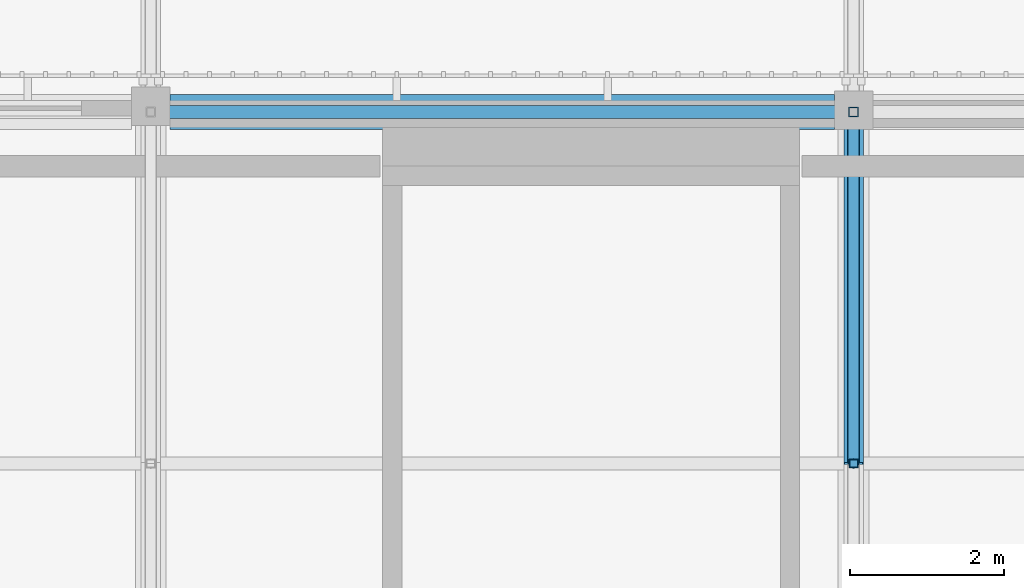
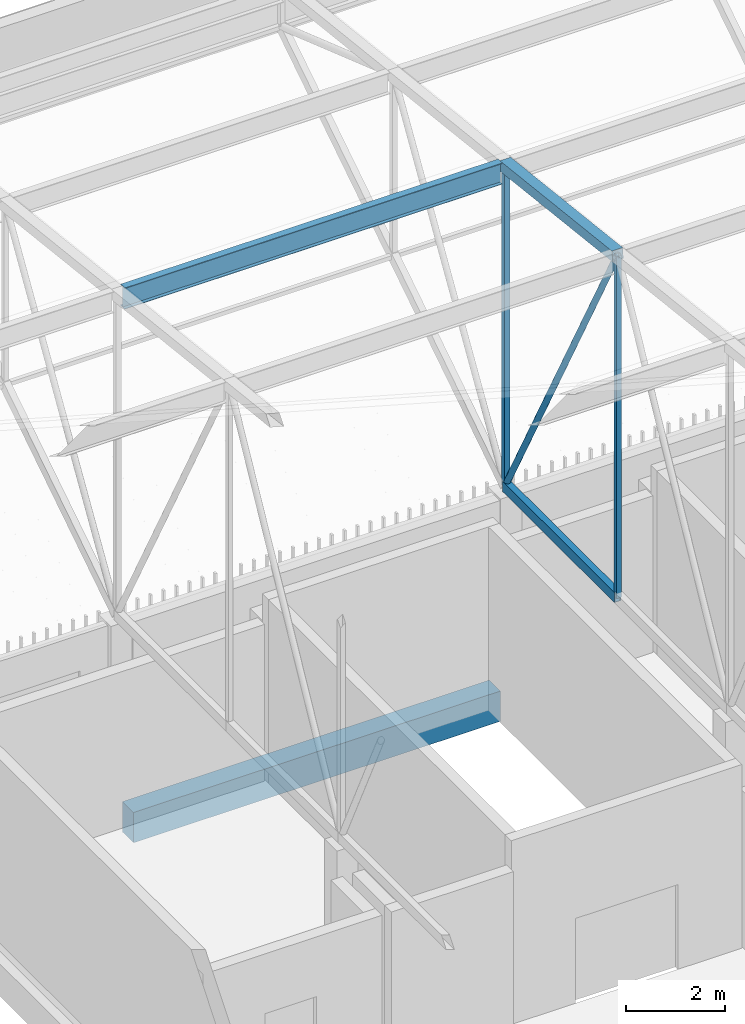
# One storey, part 324 of 500: 6 members, 1 beam.
"""IFC4 building model written with IfcOpenShell, lengths in metres."""

from ifc_helpers import new_model, si_unit, direction, frame, origin, origin_2d, place, context, subcontext, project, spatial, rectangle, hollow_rectangle, hollow_circle, i_section, extrude, material, material_profile, profile_set, type_object, element, save


model = new_model("IFC4")

# Units and contexts
model_context = context("Model", 3, precision=1e-05, world=origin(), true_north=direction((0.0, 1.0)))
body_context = subcontext(model_context, "Body", "Model", "MODEL_VIEW")
ifc_project = project(units=[si_unit("LENGTHUNIT", "METRE"), si_unit("AREAUNIT", "SQUARE_METRE"), si_unit("VOLUMEUNIT", "CUBIC_METRE"), si_unit("PLANEANGLEUNIT", "RADIAN"), si_unit("MASSUNIT", "GRAM", prefix="KILO")], contexts=[model_context])

# Site, building, storey
site_placement = place(None, origin())
site = spatial("IfcSite", under=ifc_project, at=site_placement, CompositionType="ELEMENT")
building_placement = place(site_placement, origin())
building = spatial("IfcBuilding", under=site, at=building_placement, Name="Shirokan Park Arena", CompositionType="ELEMENT")
storey_placement = place(building_placement, frame((0.0, 0.0, 29.1201171875)))
storey = spatial("IfcBuildingStorey", under=building, at=storey_placement, Name="L06", CompositionType="ELEMENT", Elevation=29.1201171875)

# Members
ifc_material_1 = material(Name="Steel ASTM A500 Grade C", Category="steel")
ifc_material_profile_1 = material_profile(ifc_material_1, hollow_rectangle(XDim=0.152099609375, YDim=0.25390625, WallThickness=0.009521484375, at=origin_2d()), Name="HSS254X152.4X9.5")
ifc_profile_set_1 = profile_set([ifc_material_profile_1], Name="Steel ASTM A500 Grade C")
member_type_1 = type_object("IfcMemberType", Name="Bottom chord HSS254X152.4X9.5", PredefinedType="CHORD", material=ifc_profile_set_1)
member_1_placement = place(storey_placement, frame((118.300048828125, 104.64990234375, 4.677001953125), z_axis=(0.0, 1.0, 0.0), x_axis=(-1.0, 0.0, 0.0)))
element("IfcMember", 1, at=member_1_placement, inside=storey, type_object=member_type_1, Name="Truss T14 bottom chord 26", PredefinedType="CHORD", context=body_context, shape_type="SweptSolid", body=[
    extrude(hollow_rectangle(XDim=0.152099609375, YDim=0.25390625, WallThickness=0.009521484375, at=origin_2d()), origin(), (0.0, 0.0, 1.0), 4.550048828125),
])
ifc_material_2 = material(Name="Steel ASTM A992", Category="steel")
ifc_material_profile_2 = material_profile(ifc_material_2, i_section(OverallWidth=0.166015625, OverallDepth=0.528076171875, WebThickness=0.009765625, FlangeThickness=0.013671875, at=origin_2d()), Name="W530X74")
ifc_profile_set_2 = profile_set([ifc_material_profile_2], Name="Steel ASTM A992")
member_type_2 = type_object("IfcMemberType", Name="Purlin W530X74", PredefinedType="PURLIN", material=ifc_profile_set_2)
member_2_placement = place(storey_placement, frame((109.326904296875, 109.199951171875, 12.48583984375), z_axis=(1.0, 0.0, 0.0), x_axis=(0.0, 1.0, 0.0)))
element("IfcMember", 2, at=member_2_placement, inside=storey, type_object=member_type_2, Name="Purlin 27 bay 13", PredefinedType="PURLIN", context=body_context, shape_type="SweptSolid", body=[
    extrude(i_section(OverallWidth=0.166015625, OverallDepth=0.528076171875, WebThickness=0.009765625, FlangeThickness=0.013671875, at=origin_2d()), origin(), (0.0, 0.0, 1.0), 8.84619140625),
])

# Beam
ifc_material_3 = material(Name="Concrete C35", Category="concrete")
ifc_material_profile_3 = material_profile(ifc_material_3, rectangle(XDim=0.449951171875, YDim=0.75, at=origin_2d()), Name="450x750")
ifc_profile_set_3 = profile_set([ifc_material_profile_3], Name="Concrete C35")
beam_type = type_object("IfcBeamType", Name="RC girder 450x750", PredefinedType="BEAM", material=ifc_profile_set_3)
beam_placement = place(storey_placement, frame((109.4501953125, 109.199951171875, -0.5751953125), z_axis=(1.0, 0.0, 0.0), x_axis=(0.0, 1.0, 0.0)))
element("IfcBeam", 3, at=beam_placement, inside=storey, type_object=beam_type, Name="Girder 13N-14N L06", PredefinedType="BEAM", context=body_context, shape_type="SweptSolid", body=[
    extrude(rectangle(XDim=0.449951171875, YDim=0.75, at=origin_2d()), origin(), (0.0, 0.0, 1.0), 8.599609375),
])

# Members
ifc_material_profile_4 = material_profile(ifc_material_1, hollow_rectangle(XDim=0.25390625, YDim=0.25390625, WallThickness=0.009521484375, at=origin_2d()), Name="HSS254X254X9.5")
ifc_profile_set_4 = profile_set([ifc_material_profile_4], Name="Steel ASTM A500 Grade C")
member_type_3 = type_object("IfcMemberType", Name="Top chord HSS254X254X9.5", PredefinedType="CHORD", material=ifc_profile_set_4)
member_3_placement = place(storey_placement, frame((118.300048828125, 104.64990234375, 13.142822265625), z_axis=(0.0, 0.993532328996, -0.113549598152), x_axis=(-1.0, 0.0, 0.0)))
element("IfcMember", 4, at=member_3_placement, inside=storey, type_object=member_type_3, Name="Truss T14 top chord 26", PredefinedType="CHORD", context=body_context, shape_type="SweptSolid", body=[
    extrude(hollow_rectangle(XDim=0.25390625, YDim=0.25390625, WallThickness=0.009521484375, at=origin_2d()), origin(), (0.0, 0.0, 1.0), 4.57958984375),
])
ifc_material_profile_5 = material_profile(ifc_material_1, hollow_circle(Radius=0.070556640625, WallThickness=0.006591796875, at=origin_2d()), Name="HSS141.3X6.6")
ifc_profile_set_5 = profile_set([ifc_material_profile_5], Name="Steel ASTM A500 Grade C")
member_type_4 = type_object("IfcMemberType", Name="Truss diagonal HSS141.3X6.6", PredefinedType="BRACE", material=ifc_profile_set_5)
member_4_placement = place(storey_placement, frame((118.300048828125, 104.64990234375, 13.142822265625), z_axis=(0.0, 0.473416507165, -0.880838697347), x_axis=(-1.0, 0.0, 0.0)))
element("IfcMember", 5, at=member_4_placement, inside=storey, type_object=member_type_4, Name="Truss T14 diagonal 26", PredefinedType="BRACE", context=body_context, shape_type="SweptSolid", body=[
    extrude(hollow_circle(Radius=0.070556640625, WallThickness=0.006591796875, at=origin_2d()), origin(), (0.0, 0.0, 1.0), 9.611083984375),
])
ifc_material_profile_6 = material_profile(ifc_material_1, hollow_rectangle(XDim=0.114013671875, YDim=0.114013671875, WallThickness=0.00634765625, at=origin_2d()), Name="HSS114.3X114.3X6.4")
ifc_profile_set_6 = profile_set([ifc_material_profile_6], Name="Steel ASTM A500 Grade C")
member_type_5 = type_object("IfcMemberType", Name="Truss post HSS114.3X114.3X6.4", PredefinedType="POST", material=ifc_profile_set_6)
member_5_placement = place(storey_placement, frame((118.300048828125, 104.64990234375, 4.677001953125), z_axis=(0.0, 0.0, 1.0), x_axis=(1.0, 0.0, 0.0)))
element("IfcMember", 6, at=member_5_placement, inside=storey, type_object=member_type_5, Name="Truss T14 post 26", PredefinedType="POST", context=body_context, shape_type="SweptSolid", body=[
    extrude(hollow_rectangle(XDim=0.114013671875, YDim=0.114013671875, WallThickness=0.00634765625, at=origin_2d()), origin(), (0.0, 0.0, 1.0), 8.4658203125),
])
ifc_material_profile_7 = material_profile(ifc_material_1, hollow_rectangle(XDim=0.126953125, YDim=0.126953125, WallThickness=0.0126953125, at=origin_2d()), Name="HSS127X127X12.7")
ifc_profile_set_7 = profile_set([ifc_material_profile_7], Name="Steel ASTM A500 Grade C")
member_type_6 = type_object("IfcMemberType", Name="Truss post HSS127X127X12.7", PredefinedType="POST", material=ifc_profile_set_7)
member_6_placement = place(storey_placement, frame((118.300048828125, 109.199951171875, 4.677001953125), z_axis=(0.0, 0.0, 1.0), x_axis=(1.0, 0.0, 0.0)))
element("IfcMember", 7, at=member_6_placement, inside=storey, type_object=member_type_6, Name="Truss T14 post 27", PredefinedType="POST", context=body_context, shape_type="SweptSolid", body=[
    extrude(hollow_rectangle(XDim=0.126953125, YDim=0.126953125, WallThickness=0.0126953125, at=origin_2d()), origin(), (0.0, 0.0, 1.0), 7.94580078125),
])

save(model, "model.ifc")
